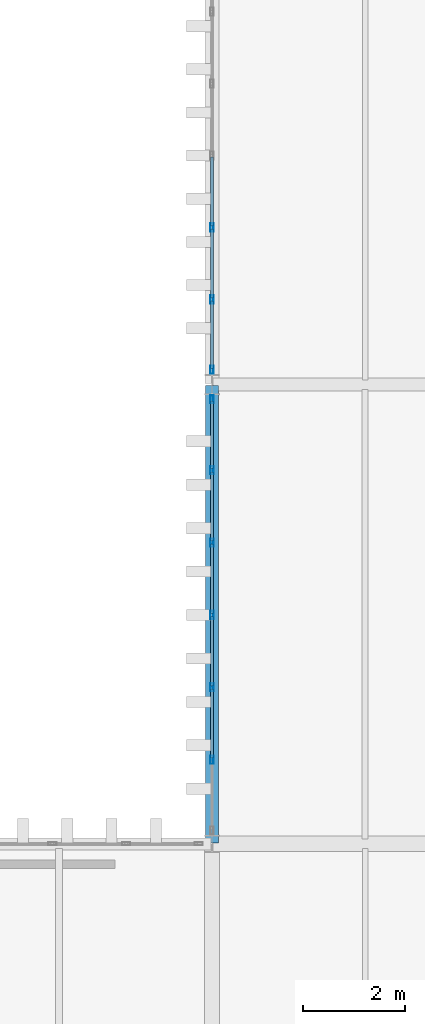
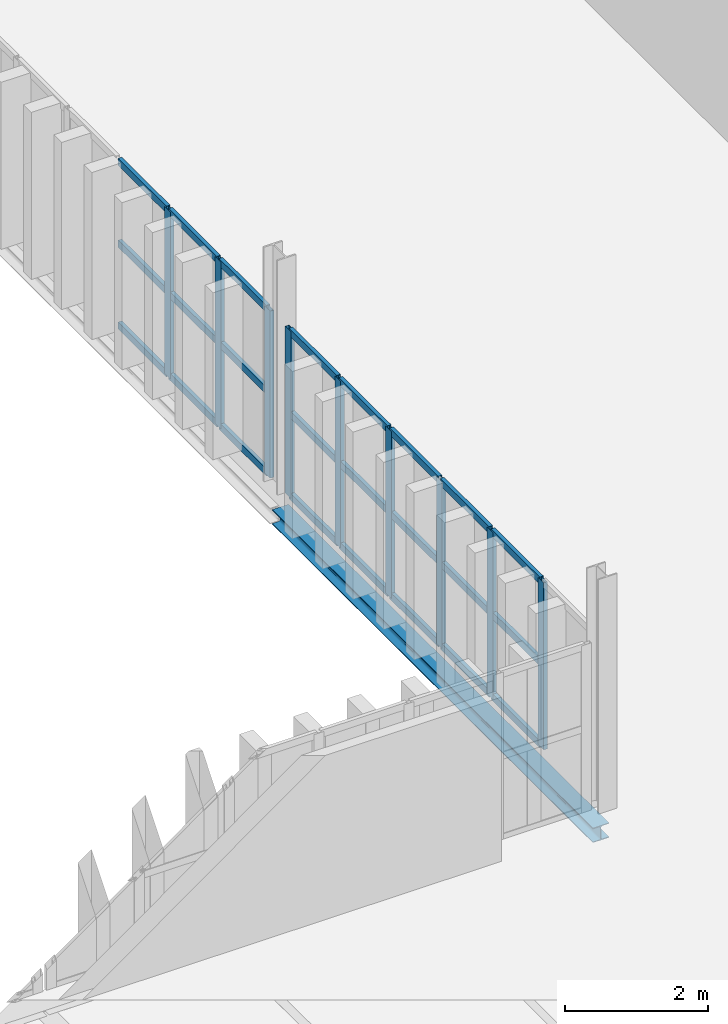
# One storey, part 61 of 102: 33 members, 1 beam, 2 elements without a shape of their own.
"""IFC4 building model written with IfcOpenShell, lengths in metres."""

from ifc_helpers import new_model, si_unit, direction, frame, origin, origin_2d, place, context, subcontext, project, spatial, hollow_rectangle, i_section, extrude, material, layer, layer_set, material_profile, profile_set, type_object, element, aggregate, save


model = new_model("IFC4")

# Units and contexts
model_context = context("Model", 3, precision=1e-05, world=origin(), true_north=direction((0.0, 1.0)))
body_context = subcontext(model_context, "Body", "Model", "MODEL_VIEW")
ifc_project = project(units=[si_unit("LENGTHUNIT", "METRE"), si_unit("AREAUNIT", "SQUARE_METRE"), si_unit("VOLUMEUNIT", "CUBIC_METRE"), si_unit("PLANEANGLEUNIT", "RADIAN"), si_unit("MASSUNIT", "GRAM", prefix="KILO")], contexts=[model_context])

# Site, building, storey
site_placement = place(None, origin())
site = spatial("IfcSite", under=ifc_project, at=site_placement, CompositionType="ELEMENT")
building_placement = place(site_placement, origin())
building = spatial("IfcBuilding", under=site, at=building_placement, Name="Barlavento Convention Centre", CompositionType="ELEMENT")
storey_placement = place(building_placement, frame((0.0, 0.0, 22.800048828125)))
storey = spatial("IfcBuildingStorey", under=building, at=storey_placement, Name="L04", CompositionType="ELEMENT", Elevation=22.800048828125)

# Curtain wall, members
ifc_material_1 = material(Name="Powder-coated aluminium and Low-E glass", Category="aluminium")
ifc_layer = layer(ifc_material_1, 0.179931640625)
ifc_layer_set = layer_set([ifc_layer], Name="ARC-CW-PATIO-B")
curtain_wall_type = type_object("IfcCurtainWallType", Name="ARC-CW-PATIO-B", PredefinedType="NOTDEFINED", material=ifc_layer_set)
curtain_wall_1_placement = place(storey_placement, origin())
curtain_wall_1 = element("IfcCurtainWall", 1, at=curtain_wall_1_placement, inside=storey, type_object=curtain_wall_type, Name="L04 unitised curtain wall CW12", PredefinedType="NOTDEFINED")
ifc_material_2 = material(Name="Powder-coated aluminium", Category="aluminium")
ifc_material_profile_1 = material_profile(ifc_material_2, hollow_rectangle(XDim=0.06005859375, YDim=0.159912109375, WallThickness=0.00390625, at=origin_2d()), Name="AL-MULL 60x160x4")
ifc_profile_set_1 = profile_set([ifc_material_profile_1], Name="Powder-coated aluminium")
member_type_1 = type_object("IfcMemberType", Name="ARC-CWM-60X160", PredefinedType="MULLION", material=ifc_profile_set_1)
member_1_placement = place(storey_placement, frame((171.0, 64.6484375, 0.0), z_axis=(0.0, 0.0, 1.0), x_axis=(-1.0, 0.0, 0.0)))
member_1 = element("IfcMember", 2, at=member_1_placement, type_object=member_type_1, Name="CW12 mullion 2", PredefinedType="MULLION", context=body_context, shape_type="SweptSolid", body=[
    extrude(hollow_rectangle(XDim=0.06005859375, YDim=0.159912109375, WallThickness=0.00390625, at=origin_2d()), origin(), (0.0, 0.0, 1.0), 2.849853515625),
])
member_2_placement = place(storey_placement, frame((171.0, 66.066650390625, 0.0), z_axis=(0.0, 0.0, 1.0), x_axis=(-1.0, 0.0, 0.0)))
member_2 = element("IfcMember", 3, at=member_2_placement, type_object=member_type_1, Name="CW12 mullion 3", PredefinedType="MULLION", context=body_context, shape_type="SweptSolid", body=[
    extrude(hollow_rectangle(XDim=0.06005859375, YDim=0.159912109375, WallThickness=0.00390625, at=origin_2d()), origin(), (0.0, 0.0, 1.0), 2.849853515625),
])
member_3_placement = place(storey_placement, frame((171.0, 67.485107421875, 0.0), z_axis=(0.0, 0.0, 1.0), x_axis=(-1.0, 0.0, 0.0)))
member_3 = element("IfcMember", 4, at=member_3_placement, type_object=member_type_1, Name="CW12 mullion 4", PredefinedType="MULLION", context=body_context, shape_type="SweptSolid", body=[
    extrude(hollow_rectangle(XDim=0.06005859375, YDim=0.159912109375, WallThickness=0.00390625, at=origin_2d()), origin(), (0.0, 0.0, 1.0), 2.849853515625),
])
member_4_placement = place(storey_placement, frame((171.0, 68.9033203125, 0.0), z_axis=(0.0, 0.0, 1.0), x_axis=(-1.0, 0.0, 0.0)))
member_4 = element("IfcMember", 5, at=member_4_placement, type_object=member_type_1, Name="CW12 mullion 5", PredefinedType="MULLION", context=body_context, shape_type="SweptSolid", body=[
    extrude(hollow_rectangle(XDim=0.06005859375, YDim=0.159912109375, WallThickness=0.00390625, at=origin_2d()), origin(), (0.0, 0.0, 1.0), 2.849853515625),
])
member_5_placement = place(storey_placement, frame((171.0, 70.32177734375, 0.0), z_axis=(0.0, 0.0, 1.0), x_axis=(-1.0, 0.0, 0.0)))
member_5 = element("IfcMember", 6, at=member_5_placement, type_object=member_type_1, Name="CW12 mullion 6", PredefinedType="MULLION", context=body_context, shape_type="SweptSolid", body=[
    extrude(hollow_rectangle(XDim=0.06005859375, YDim=0.159912109375, WallThickness=0.00390625, at=origin_2d()), origin(), (0.0, 0.0, 1.0), 2.849853515625),
])
member_6_placement = place(storey_placement, frame((171.0, 71.7099609375, 0.0), z_axis=(0.0, 0.0, 1.0), x_axis=(-1.0, 0.0, 0.0)))
member_6 = element("IfcMember", 7, at=member_6_placement, type_object=member_type_1, Name="CW12 mullion 7", PredefinedType="MULLION", context=body_context, shape_type="SweptSolid", body=[
    extrude(hollow_rectangle(XDim=0.06005859375, YDim=0.159912109375, WallThickness=0.00390625, at=origin_2d()), origin(), (0.0, 0.0, 1.0), 2.849853515625),
])

curtain_wall_2_placement = place(storey_placement, origin())
curtain_wall_2 = element("IfcCurtainWall", 8, at=curtain_wall_2_placement, inside=storey, type_object=curtain_wall_type, Name="L04 unitised curtain wall CW12", PredefinedType="NOTDEFINED")
member_7_placement = place(storey_placement, frame((171.0, 72.2900390625, 0.0), z_axis=(0.0, 0.0, 1.0), x_axis=(-1.0, 0.0, 0.0)))
member_7 = element("IfcMember", 9, at=member_7_placement, type_object=member_type_1, Name="CW12 mullion 1", PredefinedType="MULLION", context=body_context, shape_type="SweptSolid", body=[
    extrude(hollow_rectangle(XDim=0.06005859375, YDim=0.159912109375, WallThickness=0.00390625, at=origin_2d()), origin(), (0.0, 0.0, 1.0), 2.849853515625),
])
member_8_placement = place(storey_placement, frame((171.0, 73.669189453125, 0.0), z_axis=(0.0, 0.0, 1.0), x_axis=(-1.0, 0.0, 0.0)))
member_8 = element("IfcMember", 10, at=member_8_placement, type_object=member_type_1, Name="CW12 mullion 2", PredefinedType="MULLION", context=body_context, shape_type="SweptSolid", body=[
    extrude(hollow_rectangle(XDim=0.06005859375, YDim=0.159912109375, WallThickness=0.00390625, at=origin_2d()), origin(), (0.0, 0.0, 1.0), 2.849853515625),
])
member_9_placement = place(storey_placement, frame((171.0, 75.078369140625, 0.0), z_axis=(0.0, 0.0, 1.0), x_axis=(-1.0, 0.0, 0.0)))
member_9 = element("IfcMember", 11, at=member_9_placement, type_object=member_type_1, Name="CW12 mullion 3", PredefinedType="MULLION", context=body_context, shape_type="SweptSolid", body=[
    extrude(hollow_rectangle(XDim=0.06005859375, YDim=0.159912109375, WallThickness=0.00390625, at=origin_2d()), origin(), (0.0, 0.0, 1.0), 2.849853515625),
])

# Member
ifc_material_profile_2 = material_profile(ifc_material_2, hollow_rectangle(XDim=0.06005859375, YDim=0.1201171875, WallThickness=0.00390625, at=origin_2d()), Name="AL-TRAN 60x120x4")
ifc_profile_set_2 = profile_set([ifc_material_profile_2], Name="Powder-coated aluminium")
member_type_2 = type_object("IfcMemberType", Name="ARC-CWT-60X120", PredefinedType="USERDEFINED", material=ifc_profile_set_2)
member_10_placement = place(storey_placement, frame((171.0, 64.67822265625, 0.030029296875), z_axis=(0.0, 1.0, 0.0), x_axis=(-1.0, 0.0, 0.0)))
member_10 = element("IfcMember", 12, at=member_10_placement, type_object=member_type_2, Name="CW12 transom 2.1", ObjectType="TRANSOM", PredefinedType="USERDEFINED", context=body_context, shape_type="SweptSolid", body=[
    extrude(hollow_rectangle(XDim=0.06005859375, YDim=0.1201171875, WallThickness=0.00390625, at=origin_2d()), origin(), (0.0, 0.0, 1.0), 1.3583984375),
])

member_11_placement = place(storey_placement, frame((171.0, 64.67822265625, 1.425048828125), z_axis=(0.0, 1.0, 0.0), x_axis=(-1.0, 0.0, 0.0)))
member_11 = element("IfcMember", 13, at=member_11_placement, type_object=member_type_2, Name="CW12 transom 2.2", ObjectType="TRANSOM", PredefinedType="USERDEFINED", context=body_context, shape_type="SweptSolid", body=[
    extrude(hollow_rectangle(XDim=0.06005859375, YDim=0.1201171875, WallThickness=0.00390625, at=origin_2d()), origin(), (0.0, 0.0, 1.0), 1.3583984375),
])

member_12_placement = place(storey_placement, frame((171.0, 64.67822265625, 2.820068359375), z_axis=(0.0, 1.0, 0.0), x_axis=(-1.0, 0.0, 0.0)))
member_12 = element("IfcMember", 14, at=member_12_placement, type_object=member_type_2, Name="CW12 transom 2.3", ObjectType="TRANSOM", PredefinedType="USERDEFINED", context=body_context, shape_type="SweptSolid", body=[
    extrude(hollow_rectangle(XDim=0.06005859375, YDim=0.1201171875, WallThickness=0.00390625, at=origin_2d()), origin(), (0.0, 0.0, 1.0), 1.3583984375),
])

member_13_placement = place(storey_placement, frame((171.0, 66.0966796875, 0.030029296875), z_axis=(0.0, 1.0, 0.0), x_axis=(-1.0, 0.0, 0.0)))
member_13 = element("IfcMember", 15, at=member_13_placement, type_object=member_type_2, Name="CW12 transom 3.1", ObjectType="TRANSOM", PredefinedType="USERDEFINED", context=body_context, shape_type="SweptSolid", body=[
    extrude(hollow_rectangle(XDim=0.06005859375, YDim=0.1201171875, WallThickness=0.00390625, at=origin_2d()), origin(), (0.0, 0.0, 1.0), 1.3583984375),
])

member_14_placement = place(storey_placement, frame((171.0, 66.0966796875, 1.425048828125), z_axis=(0.0, 1.0, 0.0), x_axis=(-1.0, 0.0, 0.0)))
member_14 = element("IfcMember", 16, at=member_14_placement, type_object=member_type_2, Name="CW12 transom 3.2", ObjectType="TRANSOM", PredefinedType="USERDEFINED", context=body_context, shape_type="SweptSolid", body=[
    extrude(hollow_rectangle(XDim=0.06005859375, YDim=0.1201171875, WallThickness=0.00390625, at=origin_2d()), origin(), (0.0, 0.0, 1.0), 1.3583984375),
])

member_15_placement = place(storey_placement, frame((171.0, 66.0966796875, 2.820068359375), z_axis=(0.0, 1.0, 0.0), x_axis=(-1.0, 0.0, 0.0)))
member_15 = element("IfcMember", 17, at=member_15_placement, type_object=member_type_2, Name="CW12 transom 3.3", ObjectType="TRANSOM", PredefinedType="USERDEFINED", context=body_context, shape_type="SweptSolid", body=[
    extrude(hollow_rectangle(XDim=0.06005859375, YDim=0.1201171875, WallThickness=0.00390625, at=origin_2d()), origin(), (0.0, 0.0, 1.0), 1.3583984375),
])

member_16_placement = place(storey_placement, frame((171.0, 67.514892578125, 0.030029296875), z_axis=(0.0, 1.0, 0.0), x_axis=(-1.0, 0.0, 0.0)))
member_16 = element("IfcMember", 18, at=member_16_placement, type_object=member_type_2, Name="CW12 transom 4.1", ObjectType="TRANSOM", PredefinedType="USERDEFINED", context=body_context, shape_type="SweptSolid", body=[
    extrude(hollow_rectangle(XDim=0.06005859375, YDim=0.1201171875, WallThickness=0.00390625, at=origin_2d()), origin(), (0.0, 0.0, 1.0), 1.3583984375),
])

member_17_placement = place(storey_placement, frame((171.0, 67.514892578125, 1.425048828125), z_axis=(0.0, 1.0, 0.0), x_axis=(-1.0, 0.0, 0.0)))
member_17 = element("IfcMember", 19, at=member_17_placement, type_object=member_type_2, Name="CW12 transom 4.2", ObjectType="TRANSOM", PredefinedType="USERDEFINED", context=body_context, shape_type="SweptSolid", body=[
    extrude(hollow_rectangle(XDim=0.06005859375, YDim=0.1201171875, WallThickness=0.00390625, at=origin_2d()), origin(), (0.0, 0.0, 1.0), 1.3583984375),
])

member_18_placement = place(storey_placement, frame((171.0, 67.514892578125, 2.820068359375), z_axis=(0.0, 1.0, 0.0), x_axis=(-1.0, 0.0, 0.0)))
member_18 = element("IfcMember", 20, at=member_18_placement, type_object=member_type_2, Name="CW12 transom 4.3", ObjectType="TRANSOM", PredefinedType="USERDEFINED", context=body_context, shape_type="SweptSolid", body=[
    extrude(hollow_rectangle(XDim=0.06005859375, YDim=0.1201171875, WallThickness=0.00390625, at=origin_2d()), origin(), (0.0, 0.0, 1.0), 1.3583984375),
])

member_19_placement = place(storey_placement, frame((171.0, 68.933349609375, 0.030029296875), z_axis=(0.0, 1.0, 0.0), x_axis=(-1.0, 0.0, 0.0)))
member_19 = element("IfcMember", 21, at=member_19_placement, type_object=member_type_2, Name="CW12 transom 5.1", ObjectType="TRANSOM", PredefinedType="USERDEFINED", context=body_context, shape_type="SweptSolid", body=[
    extrude(hollow_rectangle(XDim=0.06005859375, YDim=0.1201171875, WallThickness=0.00390625, at=origin_2d()), origin(), (0.0, 0.0, 1.0), 1.3583984375),
])

member_20_placement = place(storey_placement, frame((171.0, 68.933349609375, 1.425048828125), z_axis=(0.0, 1.0, 0.0), x_axis=(-1.0, 0.0, 0.0)))
member_20 = element("IfcMember", 22, at=member_20_placement, type_object=member_type_2, Name="CW12 transom 5.2", ObjectType="TRANSOM", PredefinedType="USERDEFINED", context=body_context, shape_type="SweptSolid", body=[
    extrude(hollow_rectangle(XDim=0.06005859375, YDim=0.1201171875, WallThickness=0.00390625, at=origin_2d()), origin(), (0.0, 0.0, 1.0), 1.3583984375),
])

member_21_placement = place(storey_placement, frame((171.0, 68.933349609375, 2.820068359375), z_axis=(0.0, 1.0, 0.0), x_axis=(-1.0, 0.0, 0.0)))
member_21 = element("IfcMember", 23, at=member_21_placement, type_object=member_type_2, Name="CW12 transom 5.3", ObjectType="TRANSOM", PredefinedType="USERDEFINED", context=body_context, shape_type="SweptSolid", body=[
    extrude(hollow_rectangle(XDim=0.06005859375, YDim=0.1201171875, WallThickness=0.00390625, at=origin_2d()), origin(), (0.0, 0.0, 1.0), 1.3583984375),
])

member_22_placement = place(storey_placement, frame((171.0, 70.3515625, 0.030029296875), z_axis=(0.0, 1.0, 0.0), x_axis=(-1.0, 0.0, 0.0)))
member_22 = element("IfcMember", 24, at=member_22_placement, type_object=member_type_2, Name="CW12 transom 6.1", ObjectType="TRANSOM", PredefinedType="USERDEFINED", context=body_context, shape_type="SweptSolid", body=[
    extrude(hollow_rectangle(XDim=0.06005859375, YDim=0.1201171875, WallThickness=0.00390625, at=origin_2d()), origin(), (0.0, 0.0, 1.0), 1.328369140625),
])

member_23_placement = place(storey_placement, frame((171.0, 70.3515625, 1.425048828125), z_axis=(0.0, 1.0, 0.0), x_axis=(-1.0, 0.0, 0.0)))
member_23 = element("IfcMember", 25, at=member_23_placement, type_object=member_type_2, Name="CW12 transom 6.2", ObjectType="TRANSOM", PredefinedType="USERDEFINED", context=body_context, shape_type="SweptSolid", body=[
    extrude(hollow_rectangle(XDim=0.06005859375, YDim=0.1201171875, WallThickness=0.00390625, at=origin_2d()), origin(), (0.0, 0.0, 1.0), 1.328369140625),
])

member_24_placement = place(storey_placement, frame((171.0, 70.3515625, 2.820068359375), z_axis=(0.0, 1.0, 0.0), x_axis=(-1.0, 0.0, 0.0)))
member_24 = element("IfcMember", 26, at=member_24_placement, type_object=member_type_2, Name="CW12 transom 6.3", ObjectType="TRANSOM", PredefinedType="USERDEFINED", context=body_context, shape_type="SweptSolid", body=[
    extrude(hollow_rectangle(XDim=0.06005859375, YDim=0.1201171875, WallThickness=0.00390625, at=origin_2d()), origin(), (0.0, 0.0, 1.0), 1.328369140625),
])

aggregate(curtain_wall_1, [member_1, member_2, member_3, member_4, member_5, member_6, member_10, member_11, member_12, member_13, member_14, member_15, member_16, member_17, member_18, member_19, member_20, member_21, member_22, member_23, member_24])

member_25_placement = place(storey_placement, frame((171.0, 72.320068359375, 0.030029296875), z_axis=(0.0, 1.0, 0.0), x_axis=(-1.0, 0.0, 0.0)))
member_25 = element("IfcMember", 27, at=member_25_placement, type_object=member_type_2, Name="CW12 transom 1.1", ObjectType="TRANSOM", PredefinedType="USERDEFINED", context=body_context, shape_type="SweptSolid", body=[
    extrude(hollow_rectangle(XDim=0.06005859375, YDim=0.1201171875, WallThickness=0.00390625, at=origin_2d()), origin(), (0.0, 0.0, 1.0), 1.319091796875),
])

member_26_placement = place(storey_placement, frame((171.0, 72.320068359375, 1.425048828125), z_axis=(0.0, 1.0, 0.0), x_axis=(-1.0, 0.0, 0.0)))
member_26 = element("IfcMember", 28, at=member_26_placement, type_object=member_type_2, Name="CW12 transom 1.2", ObjectType="TRANSOM", PredefinedType="USERDEFINED", context=body_context, shape_type="SweptSolid", body=[
    extrude(hollow_rectangle(XDim=0.06005859375, YDim=0.1201171875, WallThickness=0.00390625, at=origin_2d()), origin(), (0.0, 0.0, 1.0), 1.319091796875),
])

member_27_placement = place(storey_placement, frame((171.0, 72.320068359375, 2.820068359375), z_axis=(0.0, 1.0, 0.0), x_axis=(-1.0, 0.0, 0.0)))
member_27 = element("IfcMember", 29, at=member_27_placement, type_object=member_type_2, Name="CW12 transom 1.3", ObjectType="TRANSOM", PredefinedType="USERDEFINED", context=body_context, shape_type="SweptSolid", body=[
    extrude(hollow_rectangle(XDim=0.06005859375, YDim=0.1201171875, WallThickness=0.00390625, at=origin_2d()), origin(), (0.0, 0.0, 1.0), 1.319091796875),
])

member_28_placement = place(storey_placement, frame((171.0, 73.69921875, 0.030029296875), z_axis=(0.0, 1.0, 0.0), x_axis=(-1.0, 0.0, 0.0)))
member_28 = element("IfcMember", 30, at=member_28_placement, type_object=member_type_2, Name="CW12 transom 2.1", ObjectType="TRANSOM", PredefinedType="USERDEFINED", context=body_context, shape_type="SweptSolid", body=[
    extrude(hollow_rectangle(XDim=0.06005859375, YDim=0.1201171875, WallThickness=0.00390625, at=origin_2d()), origin(), (0.0, 0.0, 1.0), 1.34912109375),
])

member_29_placement = place(storey_placement, frame((171.0, 73.69921875, 1.425048828125), z_axis=(0.0, 1.0, 0.0), x_axis=(-1.0, 0.0, 0.0)))
member_29 = element("IfcMember", 31, at=member_29_placement, type_object=member_type_2, Name="CW12 transom 2.2", ObjectType="TRANSOM", PredefinedType="USERDEFINED", context=body_context, shape_type="SweptSolid", body=[
    extrude(hollow_rectangle(XDim=0.06005859375, YDim=0.1201171875, WallThickness=0.00390625, at=origin_2d()), origin(), (0.0, 0.0, 1.0), 1.34912109375),
])

member_30_placement = place(storey_placement, frame((171.0, 73.69921875, 2.820068359375), z_axis=(0.0, 1.0, 0.0), x_axis=(-1.0, 0.0, 0.0)))
member_30 = element("IfcMember", 32, at=member_30_placement, type_object=member_type_2, Name="CW12 transom 2.3", ObjectType="TRANSOM", PredefinedType="USERDEFINED", context=body_context, shape_type="SweptSolid", body=[
    extrude(hollow_rectangle(XDim=0.06005859375, YDim=0.1201171875, WallThickness=0.00390625, at=origin_2d()), origin(), (0.0, 0.0, 1.0), 1.34912109375),
])

member_31_placement = place(storey_placement, frame((171.0, 75.1083984375, 0.030029296875), z_axis=(0.0, 1.0, 0.0), x_axis=(-1.0, 0.0, 0.0)))
member_31 = element("IfcMember", 33, at=member_31_placement, type_object=member_type_2, Name="CW12 transom 3.1", ObjectType="TRANSOM", PredefinedType="USERDEFINED", context=body_context, shape_type="SweptSolid", body=[
    extrude(hollow_rectangle(XDim=0.06005859375, YDim=0.1201171875, WallThickness=0.00390625, at=origin_2d()), origin(), (0.0, 0.0, 1.0), 1.34912109375),
])

member_32_placement = place(storey_placement, frame((171.0, 75.1083984375, 1.425048828125), z_axis=(0.0, 1.0, 0.0), x_axis=(-1.0, 0.0, 0.0)))
member_32 = element("IfcMember", 34, at=member_32_placement, type_object=member_type_2, Name="CW12 transom 3.2", ObjectType="TRANSOM", PredefinedType="USERDEFINED", context=body_context, shape_type="SweptSolid", body=[
    extrude(hollow_rectangle(XDim=0.06005859375, YDim=0.1201171875, WallThickness=0.00390625, at=origin_2d()), origin(), (0.0, 0.0, 1.0), 1.34912109375),
])

member_33_placement = place(storey_placement, frame((171.0, 75.1083984375, 2.820068359375), z_axis=(0.0, 1.0, 0.0), x_axis=(-1.0, 0.0, 0.0)))
member_33 = element("IfcMember", 35, at=member_33_placement, type_object=member_type_2, Name="CW12 transom 3.3", ObjectType="TRANSOM", PredefinedType="USERDEFINED", context=body_context, shape_type="SweptSolid", body=[
    extrude(hollow_rectangle(XDim=0.06005859375, YDim=0.1201171875, WallThickness=0.00390625, at=origin_2d()), origin(), (0.0, 0.0, 1.0), 1.34912109375),
])

aggregate(curtain_wall_2, [member_7, member_8, member_9, member_25, member_26, member_27, member_28, member_29, member_30, member_31, member_32, member_33])

# Beam
ifc_material_3 = material(Name="Steel S355", Category="steel")
ifc_material_profile_3 = material_profile(ifc_material_3, i_section(OverallWidth=0.260009765625, OverallDepth=0.25, WebThickness=0.007568359375, FlangeThickness=0.012451171875, FilletRadius=0.02392578125, at=origin_2d()), Name="HEA 260")
ifc_profile_set_3 = profile_set([ifc_material_profile_3], Name="Steel S355")
beam_type = type_object("IfcBeamType", Name="STR-BM-SPN-HEA260", PredefinedType="SPANDREL", material=ifc_profile_set_3)
beam_placement = place(storey_placement, frame((171.0, 63.02001953125, -0.485107421875), z_axis=(0.0, 1.0, 0.0), x_axis=(-1.0, 0.0, 0.0)))
element("IfcBeam", 36, at=beam_placement, inside=storey, type_object=beam_type, Name="L04 grid girder SP04", PredefinedType="SPANDREL", context=body_context, shape_type="SweptSolid", body=[
    extrude(i_section(OverallWidth=0.260009765625, OverallDepth=0.25, WebThickness=0.007568359375, FlangeThickness=0.012451171875, FilletRadius=0.02392578125, at=origin_2d()), origin(), (0.0, 0.0, 1.0), 8.9599609375),
])

save(model, "model.ifc")
